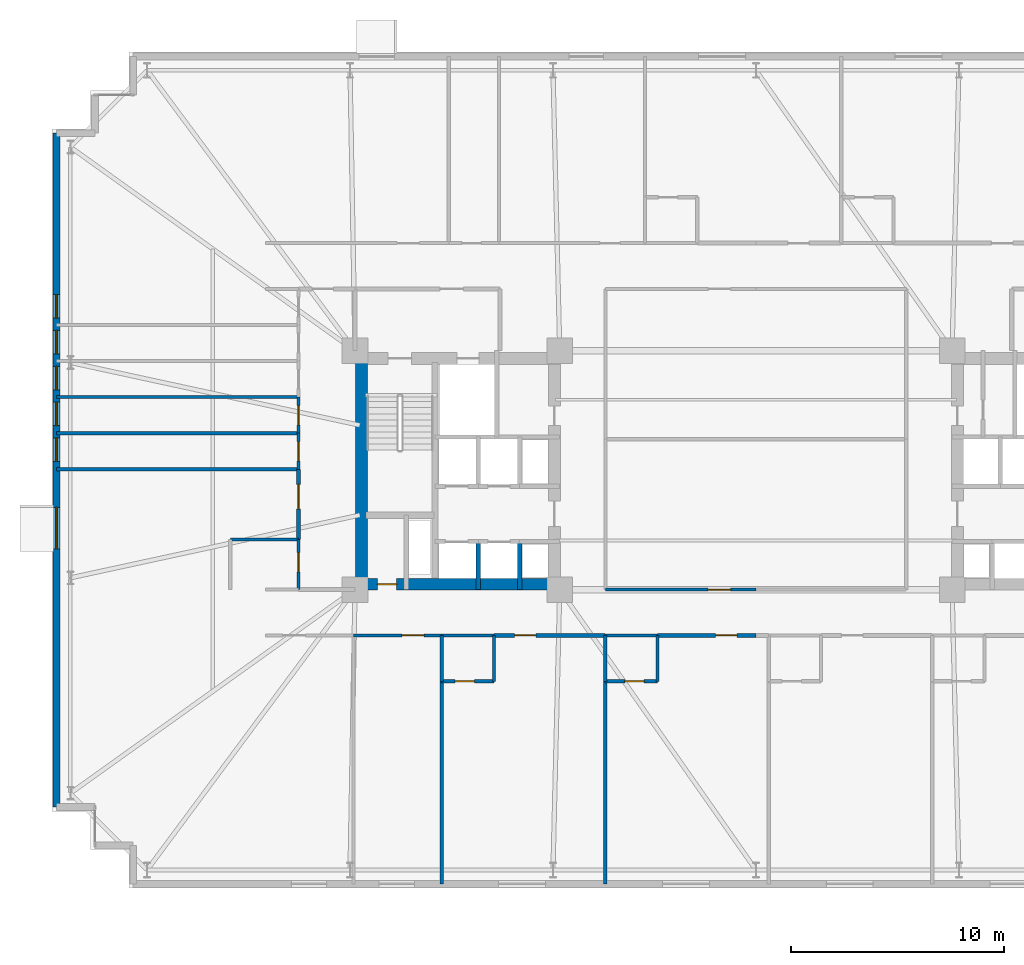
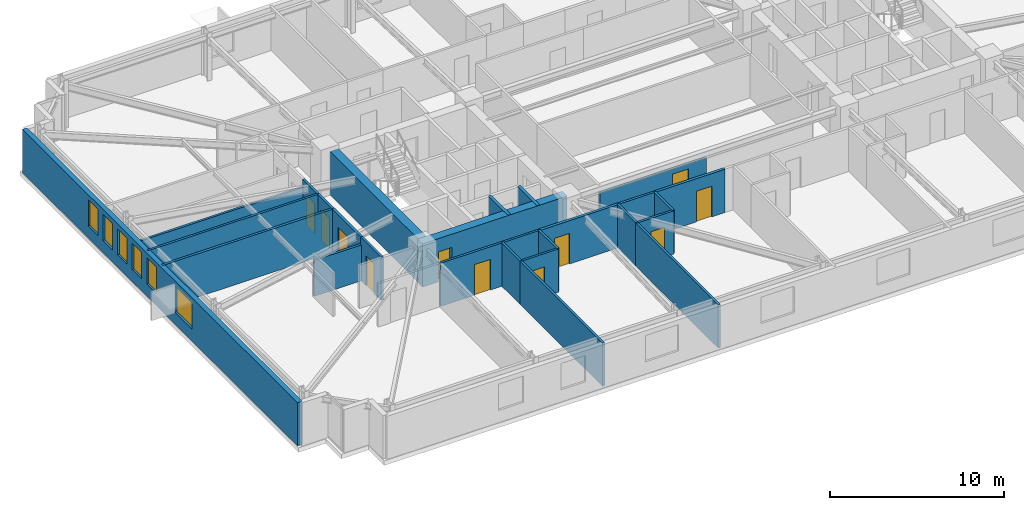
# One storey, part 14 of 21: 27 walls, 11 doors, 6 windows, 17 openings.
"""IFC4 building model written with IfcOpenShell, lengths in metres."""

from ifc_helpers import new_model, si_unit, direction, frame, frame_2d, origin, place, context, subcontext, project, spatial, rectangle, extrude, material, layer, layer_set, type_object, element, fill, save


model = new_model("IFC4")

# Units and contexts
model_context = context("Model", 3, precision=1e-05, world=origin(), true_north=direction((0.0, 1.0)))
body_context = subcontext(model_context, "Body", "Model", "MODEL_VIEW")
ifc_project = project(units=[si_unit("LENGTHUNIT", "METRE"), si_unit("AREAUNIT", "SQUARE_METRE"), si_unit("VOLUMEUNIT", "CUBIC_METRE"), si_unit("PLANEANGLEUNIT", "RADIAN"), si_unit("MASSUNIT", "GRAM", prefix="KILO")], contexts=[model_context])

# Site, building, storey
site_placement = place(None, origin())
site = spatial("IfcSite", under=ifc_project, at=site_placement, CompositionType="ELEMENT")
building_placement = place(site_placement, origin())
building = spatial("IfcBuilding", under=site, at=building_placement, Name="Qobustan Lattice House", CompositionType="ELEMENT")
storey_placement = place(building_placement, frame((0.0, 0.0, 37.050048828125)))
storey = spatial("IfcBuildingStorey", under=building, at=storey_placement, Name="L09", CompositionType="ELEMENT", Elevation=37.050048828125)

# Wall, opening, door
ifc_material_1 = material(Name="Concrete C60/75", Category="concrete")
ifc_layer_1 = layer(ifc_material_1, 0.56005859375)
ifc_layer_set_1 = layer_set([ifc_layer_1], Name="Concrete C60/75")
wall_type_1 = type_object("IfcWallType", Name="WAL-CORE-600", PredefinedType="SHEAR", material=ifc_layer_set_1)
wall_1_placement = place(storey_placement, frame((-18.800048828125, -5.35009765625, 0.0), z_axis=(0.0, 0.0, 1.0), x_axis=(1.0, 0.0, 0.0)))
wall_1 = element("IfcWall", 1, at=wall_1_placement, inside=storey, type_object=wall_type_1, Name="L09 split-core shear wall CW-S", PredefinedType="SHEAR", context=body_context, shape_type="SweptSolid", body=[
    extrude(rectangle(XDim=9.60009765625, YDim=0.56005859375, at=frame_2d((4.800048828125, 0.0))), origin(), (0.0, 0.0, 1.0), 3.034912109375),
])
opening_1_placement = place(wall_1_placement, frame((1.050048828125, 0.0, 0.0)))
opening_1 = element("IfcOpeningElement", 2, at=opening_1_placement, cuts=wall_1, Name="Opening RD-01", PredefinedType="OPENING", context=body_context, shape_type="SweptSolid", body=[
    extrude(rectangle(XDim=0.89990234375, YDim=2.10009765625, at=frame_2d((0.449951171875, 1.050048828125))), frame((0.0, 0.2900390625, 0.0), z_axis=(0.0, -1.0, 0.0), x_axis=(1.0, 0.0, 0.0)), (0.0, 0.0, 1.0), 0.580078125),
])
ifc_material_2 = material(Name="Persian walnut timber and steel frame door", Category="steel")
door_type_1 = type_object("IfcDoorType", Name="DOR-RISER-FD-900x2100", OperationType="NOTDEFINED", PredefinedType="DOOR", material=ifc_material_2)
door_1_placement = place(opening_1_placement, origin())
door_1 = element("IfcDoor", 3, at=door_1_placement, inside=storey, type_object=door_type_1, Name="L09 core service riser access door W", OperationType="SINGLE_SWING_LEFT", OverallHeight=2.10009765625, OverallWidth=0.89990234375, PredefinedType="DOOR", context=body_context, shape_type="SweptSolid", body=[
    extrude(rectangle(XDim=0.89990234375, YDim=2.10009765625, at=frame_2d((0.449951171875, 1.050048828125))), frame((0.0, 0.02490234375, 0.0), z_axis=(0.0, -1.0, 0.0), x_axis=(1.0, 0.0, 0.0)), (0.0, 0.0, 1.0), 0.050048828125),
])
fill(opening_1, door_1)

# Wall
wall_2_placement = place(storey_placement, frame((-18.489990234375, -5.050048828125, 0.0), z_axis=(0.0, 0.0, 1.0), x_axis=(0.0, 1.0, 0.0)))
element("IfcWall", 4, at=wall_2_placement, inside=storey, type_object=wall_type_1, Name="L09 split-core shear wall CW-W", PredefinedType="SHEAR", context=body_context, shape_type="SweptSolid", body=[
    extrude(rectangle(XDim=10.10009765625, YDim=0.56005859375, at=frame_2d((5.050048828125, 0.0))), origin(), (0.0, 0.0, 1.0), 3.034912109375),
])

# Wall, openings, windows
ifc_material_3 = material(Name="Precast concrete C40/50", Category="concrete")
ifc_layer_2 = layer(ifc_material_3, 0.320068359375)
ifc_layer_set_2 = layer_set([ifc_layer_2], Name="Precast concrete C40/50")
wall_type_2 = type_object("IfcWallType", Name="WAL-EXT-STONE-320", PredefinedType="SOLIDWALL", material=ifc_layer_set_2)
wall_3_placement = place(storey_placement, frame((-32.800048828125, -15.800048828125, 0.0), z_axis=(0.0, 0.0, 1.0), x_axis=(0.0, 1.0, 0.0)))
wall_3 = element("IfcWall", 5, at=wall_3_placement, inside=storey, type_object=wall_type_2, Name="L09 exterior limestone-clad wall 5", PredefinedType="SOLIDWALL", context=body_context, shape_type="SweptSolid", body=[
    extrude(rectangle(XDim=31.60009765625, YDim=0.320068359375, at=frame_2d((15.800048828125, 0.0))), origin(), (0.0, 0.0, 1.0), 3.034912109375),
])
opening_2_placement = place(wall_3_placement, frame((12.10498046875, 0.0, 0.85009765625)))
opening_2 = element("IfcOpeningElement", 6, at=opening_2_placement, cuts=wall_3, Name="Opening WN-08", PredefinedType="OPENING", context=body_context, shape_type="SweptSolid", body=[
    extrude(rectangle(XDim=1.949951171875, YDim=1.85009765625, at=frame_2d((0.97509765625, 0.925048828125))), frame((0.0, 0.169921875, 0.0), z_axis=(0.0, -1.0, 0.0), x_axis=(1.0, 0.0, 0.0)), (0.0, 0.0, 1.0), 0.340087890625),
])
opening_3_placement = place(wall_3_placement, frame((16.2099609375, 0.0, 0.85009765625)))
opening_3 = element("IfcOpeningElement", 7, at=opening_3_placement, cuts=wall_3, Name="Opening WN-04", PredefinedType="OPENING", context=body_context, shape_type="SweptSolid", body=[
    extrude(rectangle(XDim=1.10009765625, YDim=1.85009765625, at=frame_2d((0.550048828125, 0.925048828125))), frame((0.0, 0.169921875, 0.0), z_axis=(0.0, -1.0, 0.0), x_axis=(1.0, 0.0, 0.0)), (0.0, 0.0, 1.0), 0.340087890625),
])
opening_4_placement = place(wall_3_placement, frame((17.889892578125, 0.0, 0.85009765625)))
opening_4 = element("IfcOpeningElement", 8, at=opening_4_placement, cuts=wall_3, Name="Opening WN-04", PredefinedType="OPENING", context=body_context, shape_type="SweptSolid", body=[
    extrude(rectangle(XDim=1.10009765625, YDim=1.85009765625, at=frame_2d((0.550048828125, 0.925048828125))), frame((0.0, 0.169921875, 0.0), z_axis=(0.0, -1.0, 0.0), x_axis=(1.0, 0.0, 0.0)), (0.0, 0.0, 1.0), 0.340087890625),
])
opening_5_placement = place(wall_3_placement, frame((19.570068359375, 0.0, 0.85009765625)))
opening_5 = element("IfcOpeningElement", 9, at=opening_5_placement, cuts=wall_3, Name="Opening WN-04", PredefinedType="OPENING", context=body_context, shape_type="SweptSolid", body=[
    extrude(rectangle(XDim=1.10009765625, YDim=1.85009765625, at=frame_2d((0.550048828125, 0.925048828125))), frame((0.0, 0.169921875, 0.0), z_axis=(0.0, -1.0, 0.0), x_axis=(1.0, 0.0, 0.0)), (0.0, 0.0, 1.0), 0.340087890625),
])
opening_6_placement = place(wall_3_placement, frame((21.25, 0.0, 0.85009765625)))
opening_6 = element("IfcOpeningElement", 10, at=opening_6_placement, cuts=wall_3, Name="Opening WN-04", PredefinedType="OPENING", context=body_context, shape_type="SweptSolid", body=[
    extrude(rectangle(XDim=1.10009765625, YDim=1.85009765625, at=frame_2d((0.550048828125, 0.925048828125))), frame((0.0, 0.169921875, 0.0), z_axis=(0.0, -1.0, 0.0), x_axis=(1.0, 0.0, 0.0)), (0.0, 0.0, 1.0), 0.340087890625),
])
opening_7_placement = place(wall_3_placement, frame((22.929931640625, 0.0, 0.85009765625)))
opening_7 = element("IfcOpeningElement", 11, at=opening_7_placement, cuts=wall_3, Name="Opening WN-04", PredefinedType="OPENING", context=body_context, shape_type="SweptSolid", body=[
    extrude(rectangle(XDim=1.10009765625, YDim=1.85009765625, at=frame_2d((0.550048828125, 0.925048828125))), frame((0.0, 0.169921875, 0.0), z_axis=(0.0, -1.0, 0.0), x_axis=(1.0, 0.0, 0.0)), (0.0, 0.0, 1.0), 0.340087890625),
])
ifc_material_4 = material(Name="Double-glazed low-E aluminium window", Category="aluminium")
window_type_1 = type_object("IfcWindowType", Name="WIN-KIT-1950x1850", PartitioningType="SINGLE_PANEL", PredefinedType="WINDOW", material=ifc_material_4)
window_1_placement = place(opening_2_placement, origin())
window_1 = element("IfcWindow", 12, at=window_1_placement, inside=storey, type_object=window_type_1, Name="L09 Shared kitchen L09W window", OverallHeight=1.85009765625, OverallWidth=1.949951171875, PartitioningType="SINGLE_PANEL", PredefinedType="WINDOW", context=body_context, shape_type="SweptSolid", body=[
    extrude(rectangle(XDim=1.949951171875, YDim=1.85009765625, at=frame_2d((0.97509765625, 0.925048828125))), frame((0.0, 0.030029296875, 0.0), z_axis=(0.0, -1.0, 0.0), x_axis=(1.0, 0.0, 0.0)), (0.0, 0.0, 1.0), 0.06005859375),
])
fill(opening_2, window_1)
ifc_material_5 = material(Name="Double-glazed low-E aluminium window", Category="aluminium")
window_type_2 = type_object("IfcWindowType", Name="WIN-NAR-1100x1850", PartitioningType="SINGLE_PANEL", PredefinedType="WINDOW", material=ifc_material_5)
window_2_placement = place(opening_3_placement, origin())
window_2 = element("IfcWindow", 13, at=window_2_placement, inside=storey, type_object=window_type_2, Name="L09 Cluster bedroom L09W1 window", OverallHeight=1.85009765625, OverallWidth=1.10009765625, PartitioningType="SINGLE_PANEL", PredefinedType="WINDOW", context=body_context, shape_type="SweptSolid", body=[
    extrude(rectangle(XDim=1.10009765625, YDim=1.85009765625, at=frame_2d((0.550048828125, 0.925048828125))), frame((0.0, 0.030029296875, 0.0), z_axis=(0.0, -1.0, 0.0), x_axis=(1.0, 0.0, 0.0)), (0.0, 0.0, 1.0), 0.06005859375),
])
fill(opening_3, window_2)
window_3_placement = place(opening_4_placement, origin())
window_3 = element("IfcWindow", 14, at=window_3_placement, inside=storey, type_object=window_type_2, Name="L09 Cluster bedroom L09W2 window", OverallHeight=1.85009765625, OverallWidth=1.10009765625, PartitioningType="SINGLE_PANEL", PredefinedType="WINDOW", context=body_context, shape_type="SweptSolid", body=[
    extrude(rectangle(XDim=1.10009765625, YDim=1.85009765625, at=frame_2d((0.550048828125, 0.925048828125))), frame((0.0, 0.030029296875, 0.0), z_axis=(0.0, -1.0, 0.0), x_axis=(1.0, 0.0, 0.0)), (0.0, 0.0, 1.0), 0.06005859375),
])
fill(opening_4, window_3)
window_4_placement = place(opening_5_placement, origin())
window_4 = element("IfcWindow", 15, at=window_4_placement, inside=storey, type_object=window_type_2, Name="L09 Cluster bedroom L09W3 window", OverallHeight=1.85009765625, OverallWidth=1.10009765625, PartitioningType="SINGLE_PANEL", PredefinedType="WINDOW", context=body_context, shape_type="SweptSolid", body=[
    extrude(rectangle(XDim=1.10009765625, YDim=1.85009765625, at=frame_2d((0.550048828125, 0.925048828125))), frame((0.0, 0.030029296875, 0.0), z_axis=(0.0, -1.0, 0.0), x_axis=(1.0, 0.0, 0.0)), (0.0, 0.0, 1.0), 0.06005859375),
])
fill(opening_5, window_4)
window_5_placement = place(opening_6_placement, origin())
window_5 = element("IfcWindow", 16, at=window_5_placement, inside=storey, type_object=window_type_2, Name="L09 Cluster bedroom L09W4 window", OverallHeight=1.85009765625, OverallWidth=1.10009765625, PartitioningType="SINGLE_PANEL", PredefinedType="WINDOW", context=body_context, shape_type="SweptSolid", body=[
    extrude(rectangle(XDim=1.10009765625, YDim=1.85009765625, at=frame_2d((0.550048828125, 0.925048828125))), frame((0.0, 0.030029296875, 0.0), z_axis=(0.0, -1.0, 0.0), x_axis=(1.0, 0.0, 0.0)), (0.0, 0.0, 1.0), 0.06005859375),
])
fill(opening_6, window_5)
window_6_placement = place(opening_7_placement, origin())
window_6 = element("IfcWindow", 17, at=window_6_placement, inside=storey, type_object=window_type_2, Name="L09 Cluster bedroom L09W5 window", OverallHeight=1.85009765625, OverallWidth=1.10009765625, PartitioningType="SINGLE_PANEL", PredefinedType="WINDOW", context=body_context, shape_type="SweptSolid", body=[
    extrude(rectangle(XDim=1.10009765625, YDim=1.85009765625, at=frame_2d((0.550048828125, 0.925048828125))), frame((0.0, 0.030029296875, 0.0), z_axis=(0.0, -1.0, 0.0), x_axis=(1.0, 0.0, 0.0)), (0.0, 0.0, 1.0), 0.06005859375),
])
fill(opening_7, window_6)

# Wall, opening, door
ifc_material_6 = material(Name="Gypsum fireboard acoustic partition", Category="gypsum")
ifc_layer_3 = layer(ifc_material_6, 0.179931640625)
ifc_layer_set_3 = layer_set([ifc_layer_3], Name="Gypsum fireboard acoustic partition")
wall_type_3 = type_object("IfcWallType", Name="WAL-FIRE-180", PredefinedType="PARTITIONING", material=ifc_layer_set_3)
wall_4_placement = place(storey_placement, frame((-7.06689453125, -7.75, 0.0), z_axis=(0.0, 0.0, 1.0), x_axis=(-1.0, 0.0, 0.0)))
wall_4 = element("IfcWall", 18, at=wall_4_placement, inside=storey, type_object=wall_type_3, Name="L09 interior partition 57", PredefinedType="PARTITIONING", context=body_context, shape_type="SweptSolid", body=[
    extrude(rectangle(XDim=5.216064453125, YDim=0.179931640625, at=frame_2d((2.60791015625, 0.0))), origin(), (0.0, 0.0, 1.0), 3.034912109375),
])
opening_8_placement = place(wall_4_placement, frame((3.25390625, 0.0, 0.0)))
opening_8 = element("IfcOpeningElement", 19, at=opening_8_placement, cuts=wall_4, Name="Opening FD-02", PredefinedType="OPENING", context=body_context, shape_type="SweptSolid", body=[
    extrude(rectangle(XDim=1.0, YDim=2.14990234375, at=frame_2d((0.5, 1.074951171875))), frame((0.0, 0.099853515625, 0.0), z_axis=(0.0, -1.0, 0.0), x_axis=(1.0, 0.0, 0.0)), (0.0, 0.0, 1.0), 0.199951171875),
])
ifc_material_7 = material(Name="Persian walnut timber and steel frame door", Category="steel")
door_type_2 = type_object("IfcDoorType", Name="DOR-UNIT-FD-1000x2150", OperationType="NOTDEFINED", PredefinedType="DOOR", material=ifc_material_7)
door_2_placement = place(opening_8_placement, origin())
door_2 = element("IfcDoor", 20, at=door_2_placement, inside=storey, type_object=door_type_2, Name="L09 South-west floor corridor to Kitchenette and studio apartment L09-S2 door", OperationType="SINGLE_SWING_RIGHT", OverallHeight=2.14990234375, OverallWidth=1.0, PredefinedType="DOOR", context=body_context, shape_type="SweptSolid", body=[
    extrude(rectangle(XDim=1.0, YDim=2.14990234375, at=frame_2d((0.5, 1.074951171875))), frame((0.0, 0.02490234375, 0.0), z_axis=(0.0, -1.0, 0.0), x_axis=(1.0, 0.0, 0.0)), (0.0, 0.0, 1.0), 0.050048828125),
])
fill(opening_8, door_2)

wall_5_placement = place(storey_placement, frame((0.0, -7.75, 0.0), z_axis=(0.0, 0.0, 1.0), x_axis=(-1.0, 0.0, 0.0)))
wall_5 = element("IfcWall", 21, at=wall_5_placement, inside=storey, type_object=wall_type_3, Name="L09 interior partition 59", PredefinedType="PARTITIONING", context=body_context, shape_type="SweptSolid", body=[
    extrude(rectangle(XDim=4.616943359375, YDim=0.179931640625, at=frame_2d((2.30859375, 0.0))), origin(), (0.0, 0.0, 1.0), 3.034912109375),
])
opening_9_placement = place(wall_5_placement, frame((0.88720703125, 0.0, 0.0)))
opening_9 = element("IfcOpeningElement", 22, at=opening_9_placement, cuts=wall_5, Name="Opening FD-02", PredefinedType="OPENING", context=body_context, shape_type="SweptSolid", body=[
    extrude(rectangle(XDim=1.0, YDim=2.14990234375, at=frame_2d((0.5, 1.074951171875))), frame((0.0, 0.099853515625, 0.0), z_axis=(0.0, -1.0, 0.0), x_axis=(1.0, 0.0, 0.0)), (0.0, 0.0, 1.0), 0.199951171875),
])
door_3_placement = place(opening_9_placement, origin())
door_3 = element("IfcDoor", 23, at=door_3_placement, inside=storey, type_object=door_type_2, Name="L09 South-west floor corridor to Kitchenette and studio apartment L09-S3 door", OperationType="SINGLE_SWING_LEFT", OverallHeight=2.14990234375, OverallWidth=1.0, PredefinedType="DOOR", context=body_context, shape_type="SweptSolid", body=[
    extrude(rectangle(XDim=1.0, YDim=2.14990234375, at=frame_2d((0.5, 1.074951171875))), frame((0.0, 0.02490234375, 0.0), z_axis=(0.0, -1.0, 0.0), x_axis=(1.0, 0.0, 0.0)), (0.0, 0.0, 1.0), 0.050048828125),
])
fill(opening_9, door_3)

ifc_material_8 = material(Name="Acoustic twin-stud gypsum partition", Category="gypsum")
ifc_layer_4 = layer(ifc_material_8, 0.14990234375)
ifc_layer_set_4 = layer_set([ifc_layer_4], Name="Acoustic twin-stud gypsum partition")
wall_type_4 = type_object("IfcWallType", Name="WAL-PART-150", PredefinedType="PARTITIONING", material=ifc_layer_set_4)
wall_6_placement = place(storey_placement, frame((-14.73291015625, -7.75, 0.0), z_axis=(0.0, 0.0, 1.0), x_axis=(-1.0, 0.0, 0.0)))
wall_6 = element("IfcWall", 24, at=wall_6_placement, inside=storey, type_object=wall_type_4, Name="L09 interior partition 56", PredefinedType="PARTITIONING", context=body_context, shape_type="SweptSolid", body=[
    extrude(rectangle(XDim=4.133544921875, YDim=0.14990234375, at=frame_2d((2.06689453125, 0.0))), origin(), (0.0, 0.0, 1.0), 3.034912109375),
])
opening_10_placement = place(wall_6_placement, frame((0.8203125, 0.0, 0.0)))
opening_10 = element("IfcOpeningElement", 25, at=opening_10_placement, cuts=wall_6, Name="Opening ID-02", PredefinedType="OPENING", context=body_context, shape_type="SweptSolid", body=[
    extrude(rectangle(XDim=1.050048828125, YDim=2.14990234375, at=frame_2d((0.52490234375, 1.074951171875))), frame((0.0, 0.0849609375, 0.0), z_axis=(0.0, -1.0, 0.0), x_axis=(1.0, 0.0, 0.0)), (0.0, 0.0, 1.0), 0.169921875),
])
ifc_material_9 = material(Name="Persian walnut timber and steel frame door", Category="steel")
door_type_3 = type_object("IfcDoorType", Name="DOR-STUDY-1050x2150", OperationType="NOTDEFINED", PredefinedType="DOOR", material=ifc_material_9)
door_4_placement = place(opening_10_placement, origin())
door_4 = element("IfcDoor", 26, at=door_4_placement, inside=storey, type_object=door_type_3, Name="L09 South-west floor corridor to Focus study room S1B door", OperationType="SINGLE_SWING_LEFT", OverallHeight=2.14990234375, OverallWidth=1.050048828125, PredefinedType="DOOR", context=body_context, shape_type="SweptSolid", body=[
    extrude(rectangle(XDim=1.050048828125, YDim=2.14990234375, at=frame_2d((0.52490234375, 1.074951171875))), frame((0.0, 0.02490234375, 0.0), z_axis=(0.0, -1.0, 0.0), x_axis=(1.0, 0.0, 0.0)), (0.0, 0.0, 1.0), 0.050048828125),
])
fill(opening_10, door_4)

wall_7_placement = place(storey_placement, frame((-7.050048828125, -5.60009765625, 0.0), z_axis=(0.0, 0.0, 1.0), x_axis=(1.0, 0.0, 0.0)))
wall_7 = element("IfcWall", 27, at=wall_7_placement, inside=storey, type_object=wall_type_4, Name="L09 interior partition 61", PredefinedType="PARTITIONING", context=body_context, shape_type="SweptSolid", body=[
    extrude(rectangle(XDim=7.050048828125, YDim=0.14990234375, at=frame_2d((3.52490234375, 0.0))), origin(), (0.0, 0.0, 1.0), 2.52001953125),
])
opening_11_placement = place(wall_7_placement, frame((4.81494140625, 0.0, 0.0)))
opening_11 = element("IfcOpeningElement", 28, at=opening_11_placement, cuts=wall_7, Name="Opening ID-02", PredefinedType="OPENING", context=body_context, shape_type="SweptSolid", body=[
    extrude(rectangle(XDim=1.050048828125, YDim=2.14990234375, at=frame_2d((0.52490234375, 1.074951171875))), frame((0.0, 0.0849609375, 0.0), z_axis=(0.0, -1.0, 0.0), x_axis=(1.0, 0.0, 0.0)), (0.0, 0.0, 1.0), 0.169921875),
])
door_5_placement = place(opening_11_placement, origin())
door_5 = element("IfcDoor", 29, at=door_5_placement, inside=storey, type_object=door_type_3, Name="L09 South-west floor corridor to Academic seminar room door", OperationType="SINGLE_SWING_RIGHT", OverallHeight=2.14990234375, OverallWidth=1.050048828125, PredefinedType="DOOR", context=body_context, shape_type="SweptSolid", body=[
    extrude(rectangle(XDim=1.050048828125, YDim=2.14990234375, at=frame_2d((0.52490234375, 1.074951171875))), frame((0.0, 0.02490234375, 0.0), z_axis=(0.0, -1.0, 0.0), x_axis=(1.0, 0.0, 0.0)), (0.0, 0.0, 1.0), 0.050048828125),
])
fill(opening_11, door_5)

wall_8_placement = place(storey_placement, frame((-21.449951171875, 0.0400390625, 0.0), z_axis=(0.0, 0.0, 1.0), x_axis=(0.0, 1.0, 0.0)))
wall_8 = element("IfcWall", 30, at=wall_8_placement, inside=storey, type_object=wall_type_4, Name="L09 interior partition 79", PredefinedType="PARTITIONING", context=body_context, shape_type="SweptSolid", body=[
    extrude(rectangle(XDim=1.69189453125, YDim=0.14990234375, at=frame_2d((0.845947265625, 0.0))), origin(), (0.0, 0.0, 1.0), 3.034912109375),
])
opening_12_placement = place(wall_8_placement, frame((0.39599609375, 0.0, 0.0)))
opening_12 = element("IfcOpeningElement", 31, at=opening_12_placement, cuts=wall_8, Name="Opening WD-01", PredefinedType="OPENING", context=body_context, shape_type="SweptSolid", body=[
    extrude(rectangle(XDim=0.89990234375, YDim=2.10009765625, at=frame_2d((0.449951171875, 1.050048828125))), frame((0.0, 0.0849609375, 0.0), z_axis=(0.0, -1.0, 0.0), x_axis=(1.0, 0.0, 0.0)), (0.0, 0.0, 1.0), 0.169921875),
])
ifc_material_10 = material(Name="Persian walnut timber and steel frame door", Category="steel")
door_type_4 = type_object("IfcDoorType", Name="DOR-WET-900x2100", OperationType="NOTDEFINED", PredefinedType="DOOR", material=ifc_material_10)
door_6_placement = place(opening_12_placement, origin())
door_6 = element("IfcDoor", 32, at=door_6_placement, inside=storey, type_object=door_type_4, Name="L09 Residence entrance hall L09W to Cluster bedroom L09W1 door", OperationType="SINGLE_SWING_LEFT", OverallHeight=2.10009765625, OverallWidth=0.89990234375, PredefinedType="DOOR", context=body_context, shape_type="SweptSolid", body=[
    extrude(rectangle(XDim=0.89990234375, YDim=2.10009765625, at=frame_2d((0.449951171875, 1.050048828125))), frame((0.0, 0.02490234375, 0.0), z_axis=(0.0, -1.0, 0.0), x_axis=(1.0, 0.0, 0.0)), (0.0, 0.0, 1.0), 0.050048828125),
])
fill(opening_12, door_6)

wall_9_placement = place(storey_placement, frame((-21.449951171875, 1.73193359375, 0.0), z_axis=(0.0, 0.0, 1.0), x_axis=(0.0, 1.0, 0.0)))
wall_9 = element("IfcWall", 33, at=wall_9_placement, inside=storey, type_object=wall_type_4, Name="L09 interior partition 80", PredefinedType="PARTITIONING", context=body_context, shape_type="SweptSolid", body=[
    extrude(rectangle(XDim=1.692138671875, YDim=0.14990234375, at=frame_2d((0.84619140625, 0.0))), origin(), (0.0, 0.0, 1.0), 3.034912109375),
])
opening_13_placement = place(wall_9_placement, frame((0.39599609375, 0.0, 0.0)))
opening_13 = element("IfcOpeningElement", 34, at=opening_13_placement, cuts=wall_9, Name="Opening WD-01", PredefinedType="OPENING", context=body_context, shape_type="SweptSolid", body=[
    extrude(rectangle(XDim=0.89990234375, YDim=2.10009765625, at=frame_2d((0.449951171875, 1.050048828125))), frame((0.0, 0.0849609375, 0.0), z_axis=(0.0, -1.0, 0.0), x_axis=(1.0, 0.0, 0.0)), (0.0, 0.0, 1.0), 0.169921875),
])
door_7_placement = place(opening_13_placement, origin())
door_7 = element("IfcDoor", 35, at=door_7_placement, inside=storey, type_object=door_type_4, Name="L09 Residence entrance hall L09W to Cluster bedroom L09W2 door", OperationType="SINGLE_SWING_RIGHT", OverallHeight=2.10009765625, OverallWidth=0.89990234375, PredefinedType="DOOR", context=body_context, shape_type="SweptSolid", body=[
    extrude(rectangle(XDim=0.89990234375, YDim=2.10009765625, at=frame_2d((0.449951171875, 1.050048828125))), frame((0.0, 0.02490234375, 0.0), z_axis=(0.0, -1.0, 0.0), x_axis=(1.0, 0.0, 0.0)), (0.0, 0.0, 1.0), 0.050048828125),
])
fill(opening_13, door_7)

# Walls
wall_10_placement = place(storey_placement, frame((-32.800048828125, 1.73193359375, 0.0), z_axis=(0.0, 0.0, 1.0), x_axis=(1.0, 0.0, 0.0)))
element("IfcWall", 36, at=wall_10_placement, inside=storey, type_object=wall_type_4, Name="L09 interior partition 87", PredefinedType="PARTITIONING", context=body_context, shape_type="SweptSolid", body=[
    extrude(rectangle(XDim=11.35009765625, YDim=0.14990234375, at=frame_2d((5.675048828125, 0.0))), origin(), (0.0, 0.0, 1.0), 3.034912109375),
])
wall_11_placement = place(storey_placement, frame((-32.800048828125, 3.424072265625, 0.0), z_axis=(0.0, 0.0, 1.0), x_axis=(1.0, 0.0, 0.0)))
element("IfcWall", 37, at=wall_11_placement, inside=storey, type_object=wall_type_4, Name="L09 interior partition 88", PredefinedType="PARTITIONING", context=body_context, shape_type="SweptSolid", body=[
    extrude(rectangle(XDim=11.35009765625, YDim=0.14990234375, at=frame_2d((5.675048828125, 0.0))), origin(), (0.0, 0.0, 1.0), 2.52001953125),
])
for number, where, z_axis, x_axis, name in (
    (38, (-14.73291015625, -9.89990234375, 0.0), (0.0, 0.0, 1.0), (0.0, -1.0, 0.0), "L09 interior partition 114"),
    (39, (-7.06689453125, -9.89990234375, 0.0), (0.0, 0.0, 1.0), (0.0, -1.0, 0.0), "L09 interior partition 118"),
):
    element("IfcWall", number, at=place(storey_placement, frame(where, z_axis=z_axis, x_axis=x_axis)), inside=storey, type_object=wall_type_4, Name=name, PredefinedType="PARTITIONING", context=body_context, shape_type="SweptSolid", body=[
        extrude(rectangle(XDim=9.5, YDim=0.14990234375, at=frame_2d((4.75, 0.0))), origin(), (0.0, 0.0, 1.0), 3.034912109375),
    ])

# Wall, opening, door
ifc_material_11 = material(Name="High-mass acoustic twin-stud partition", Category="gypsum")
ifc_layer_5 = layer(ifc_material_11, 0.1650390625)
ifc_layer_set_5 = layer_set([ifc_layer_5], Name="High-mass acoustic twin-stud partition")
wall_type_5 = type_object("IfcWallType", Name="WAL-PART-165", PredefinedType="PARTITIONING", material=ifc_layer_set_5)
wall_12_placement = place(storey_placement, frame((-21.449951171875, -3.25, 0.0), z_axis=(0.0, 0.0, 1.0), x_axis=(0.0, 1.0, 0.0)))
wall_12 = element("IfcWall", 40, at=wall_12_placement, inside=storey, type_object=wall_type_5, Name="L09 interior partition 78", PredefinedType="PARTITIONING", context=body_context, shape_type="SweptSolid", body=[
    extrude(rectangle(XDim=3.2900390625, YDim=0.1650390625, at=frame_2d((1.64501953125, 0.0))), origin(), (0.0, 0.0, 1.0), 3.034912109375),
])
opening_14_placement = place(wall_12_placement, frame((1.4375, 0.0, 0.0)))
opening_14 = element("IfcOpeningElement", 41, at=opening_14_placement, cuts=wall_12, Name="Opening ID-03", PredefinedType="OPENING", context=body_context, shape_type="SweptSolid", body=[
    extrude(rectangle(XDim=1.14990234375, YDim=2.14990234375, at=frame_2d((0.574951171875, 1.074951171875))), frame((0.0, 0.092529296875, 0.0), z_axis=(0.0, -1.0, 0.0), x_axis=(1.0, 0.0, 0.0)), (0.0, 0.0, 1.0), 0.18505859375),
])
ifc_material_12 = material(Name="Persian walnut timber and steel frame door", Category="steel")
door_type_5 = type_object("IfcDoorType", Name="DOR-KITCH-1150x2150", OperationType="NOTDEFINED", PredefinedType="DOOR", material=ifc_material_12)
door_8_placement = place(opening_14_placement, origin())
door_8 = element("IfcDoor", 42, at=door_8_placement, inside=storey, type_object=door_type_5, Name="L09 Residence entrance hall L09W to Shared kitchen L09W door", OperationType="SINGLE_SWING_RIGHT", OverallHeight=2.14990234375, OverallWidth=1.14990234375, PredefinedType="DOOR", context=body_context, shape_type="SweptSolid", body=[
    extrude(rectangle(XDim=1.14990234375, YDim=2.14990234375, at=frame_2d((0.574951171875, 1.074951171875))), frame((0.0, 0.02490234375, 0.0), z_axis=(0.0, -1.0, 0.0), x_axis=(1.0, 0.0, 0.0)), (0.0, 0.0, 1.0), 0.050048828125),
])
fill(opening_14, door_8)

# Walls
wall_13_placement = place(storey_placement, frame((-32.800048828125, 0.0400390625, 0.0), z_axis=(0.0, 0.0, 1.0), x_axis=(1.0, 0.0, 0.0)))
element("IfcWall", 43, at=wall_13_placement, inside=storey, type_object=wall_type_5, Name="L09 interior partition 86", PredefinedType="PARTITIONING", context=body_context, shape_type="SweptSolid", body=[
    extrude(rectangle(XDim=11.35009765625, YDim=0.1650390625, at=frame_2d((5.675048828125, 0.0))), origin(), (0.0, 0.0, 1.0), 3.034912109375),
])
ifc_material_13 = material(Name="Concrete C40/50", Category="concrete")
ifc_layer_6 = layer(ifc_material_13, 0.199951171875)
ifc_layer_set_6 = layer_set([ifc_layer_6], Name="Concrete C40/50")
wall_type_6 = type_object("IfcWallType", Name="WAL-SHAFT-200", PredefinedType="PARTITIONING", material=ifc_layer_set_6)
for number, where, z_axis, x_axis, name in (
    (44, (-13.02001953125, -5.60009765625, 0.0), (0.0, 0.0, 1.0), (0.0, 1.0, 0.0), "L09 interior partition 14"),
    (45, (-11.080078125, -5.60009765625, 0.0), (0.0, 0.0, 1.0), (0.0, 1.0, 0.0), "L09 interior partition 15"),
):
    element("IfcWall", number, at=place(storey_placement, frame(where, z_axis=z_axis, x_axis=x_axis)), inside=storey, type_object=wall_type_6, Name=name, PredefinedType="PARTITIONING", context=body_context, shape_type="SweptSolid", body=[
        extrude(rectangle(XDim=2.25, YDim=0.199951171875, at=frame_2d((1.125, 0.0))), origin(), (0.0, 0.0, 1.0), 3.034912109375),
    ])
ifc_material_14 = material(Name="Moisture-resistant acoustic plumbing wall", Category="gypsum")
ifc_layer_7 = layer(ifc_material_14, 0.14990234375)
ifc_layer_set_7 = layer_set([ifc_layer_7], Name="Moisture-resistant acoustic plumbing wall")
wall_type_7 = type_object("IfcWallType", Name="WAL-WET-150", PredefinedType="PLUMBINGWALL", material=ifc_layer_set_7)
for number, where, z_axis, x_axis, name in (
    (46, (-12.282958984375, -7.75, 0.0), (0.0, 0.0, 1.0), (-1.0, 0.0, 0.0), "L09 interior partition 58"),
    (47, (-4.616943359375, -7.75, 0.0), (0.0, 0.0, 1.0), (-1.0, 0.0, 0.0), "L09 interior partition 60"),
):
    element("IfcWall", number, at=place(storey_placement, frame(where, z_axis=z_axis, x_axis=x_axis)), inside=storey, type_object=wall_type_7, Name=name, PredefinedType="PLUMBINGWALL", context=body_context, shape_type="SweptSolid", body=[
        extrude(rectangle(XDim=2.449951171875, YDim=0.14990234375, at=frame_2d((1.22509765625, 0.0))), origin(), (0.0, 0.0, 1.0), 3.034912109375),
    ])

# Wall, opening, door
wall_14_placement = place(storey_placement, frame((-21.449951171875, -5.60009765625, 0.0), z_axis=(0.0, 0.0, 1.0), x_axis=(0.0, 1.0, 0.0)))
wall_14 = element("IfcWall", 48, at=wall_14_placement, inside=storey, type_object=wall_type_7, Name="L09 interior partition 77", PredefinedType="PLUMBINGWALL", context=body_context, shape_type="SweptSolid", body=[
    extrude(rectangle(XDim=2.35009765625, YDim=0.14990234375, at=frame_2d((1.175048828125, 0.0))), origin(), (0.0, 0.0, 1.0), 3.034912109375),
])
opening_15_placement = place(wall_14_placement, frame((0.833740234375, 0.0, 0.0)))
opening_15 = element("IfcOpeningElement", 49, at=opening_15_placement, cuts=wall_14, Name="Opening WD-01", PredefinedType="OPENING", context=body_context, shape_type="SweptSolid", body=[
    extrude(rectangle(XDim=0.89990234375, YDim=2.10009765625, at=frame_2d((0.449951171875, 1.050048828125))), frame((0.0, 0.0849609375, 0.0), z_axis=(0.0, -1.0, 0.0), x_axis=(1.0, 0.0, 0.0)), (0.0, 0.0, 1.0), 0.169921875),
])
door_9_placement = place(opening_15_placement, origin())
door_9 = element("IfcDoor", 50, at=door_9_placement, inside=storey, type_object=door_type_4, Name="L09 Residence entrance hall L09W to Shared bathroom L09W door", OperationType="SINGLE_SWING_LEFT", OverallHeight=2.10009765625, OverallWidth=0.89990234375, PredefinedType="DOOR", context=body_context, shape_type="SweptSolid", body=[
    extrude(rectangle(XDim=0.89990234375, YDim=2.10009765625, at=frame_2d((0.449951171875, 1.050048828125))), frame((0.0, 0.02490234375, 0.0), z_axis=(0.0, -1.0, 0.0), x_axis=(1.0, 0.0, 0.0)), (0.0, 0.0, 1.0), 0.050048828125),
])
fill(opening_15, door_9)

# Walls
wall_15_placement = place(storey_placement, frame((-24.64990234375, -3.25, 0.0), z_axis=(0.0, 0.0, 1.0), x_axis=(1.0, 0.0, 0.0)))
element("IfcWall", 51, at=wall_15_placement, inside=storey, type_object=wall_type_7, Name="L09 interior partition 84", PredefinedType="PLUMBINGWALL", context=body_context, shape_type="SweptSolid", body=[
    extrude(rectangle(XDim=3.199951171875, YDim=0.14990234375, at=frame_2d((1.60009765625, 0.0))), origin(), (0.0, 0.0, 1.0), 2.52001953125),
])
wall_16_placement = place(storey_placement, frame((-14.73291015625, -7.75, 0.0), z_axis=(0.0, 0.0, 1.0), x_axis=(0.0, -1.0, 0.0)))
element("IfcWall", 52, at=wall_16_placement, inside=storey, type_object=wall_type_7, Name="L09 interior partition 115", PredefinedType="PLUMBINGWALL", context=body_context, shape_type="SweptSolid", body=[
    extrude(rectangle(XDim=2.14990234375, YDim=0.14990234375, at=frame_2d((1.074951171875, 0.0))), origin(), (0.0, 0.0, 1.0), 3.034912109375),
])

# Wall, opening, door
wall_17_placement = place(storey_placement, frame((-14.73291015625, -9.89990234375, 0.0), z_axis=(0.0, 0.0, 1.0), x_axis=(1.0, 0.0, 0.0)))
wall_17 = element("IfcWall", 53, at=wall_17_placement, inside=storey, type_object=wall_type_7, Name="L09 interior partition 116", PredefinedType="PLUMBINGWALL", context=body_context, shape_type="SweptSolid", body=[
    extrude(rectangle(XDim=2.449951171875, YDim=0.14990234375, at=frame_2d((1.22509765625, 0.0))), origin(), (0.0, 0.0, 1.0), 3.034912109375),
])
opening_16_placement = place(wall_17_placement, frame((0.62890625, 0.0, 0.0)))
opening_16 = element("IfcOpeningElement", 54, at=opening_16_placement, cuts=wall_17, Name="Opening WD-01", PredefinedType="OPENING", context=body_context, shape_type="SweptSolid", body=[
    extrude(rectangle(XDim=0.89990234375, YDim=2.10009765625, at=frame_2d((0.449951171875, 1.050048828125))), frame((0.0, 0.0849609375, 0.0), z_axis=(0.0, -1.0, 0.0), x_axis=(1.0, 0.0, 0.0)), (0.0, 0.0, 1.0), 0.169921875),
])
door_10_placement = place(opening_16_placement, origin())
door_10 = element("IfcDoor", 55, at=door_10_placement, inside=storey, type_object=door_type_4, Name="L09 Kitchenette and studio apartment L09-S2 to En-suite bathroom L09-S2 door", OperationType="SINGLE_SWING_LEFT", OverallHeight=2.10009765625, OverallWidth=0.89990234375, PredefinedType="DOOR", context=body_context, shape_type="SweptSolid", body=[
    extrude(rectangle(XDim=0.89990234375, YDim=2.10009765625, at=frame_2d((0.449951171875, 1.050048828125))), frame((0.0, 0.02490234375, 0.0), z_axis=(0.0, -1.0, 0.0), x_axis=(1.0, 0.0, 0.0)), (0.0, 0.0, 1.0), 0.050048828125),
])
fill(opening_16, door_10)

# Walls
for number, where, z_axis, x_axis, name in (
    (56, (-12.282958984375, -9.89990234375, 0.0), (0.0, 0.0, 1.0), (0.0, 1.0, 0.0), "L09 interior partition 117"),
    (57, (-7.06689453125, -7.75, 0.0), (0.0, 0.0, 1.0), (0.0, -1.0, 0.0), "L09 interior partition 119"),
):
    element("IfcWall", number, at=place(storey_placement, frame(where, z_axis=z_axis, x_axis=x_axis)), inside=storey, type_object=wall_type_7, Name=name, PredefinedType="PLUMBINGWALL", context=body_context, shape_type="SweptSolid", body=[
        extrude(rectangle(XDim=2.14990234375, YDim=0.14990234375, at=frame_2d((1.074951171875, 0.0))), origin(), (0.0, 0.0, 1.0), 3.034912109375),
    ])

# Wall, opening, door
wall_18_placement = place(storey_placement, frame((-7.06689453125, -9.89990234375, 0.0), z_axis=(0.0, 0.0, 1.0), x_axis=(1.0, 0.0, 0.0)))
wall_18 = element("IfcWall", 58, at=wall_18_placement, inside=storey, type_object=wall_type_7, Name="L09 interior partition 120", PredefinedType="PLUMBINGWALL", context=body_context, shape_type="SweptSolid", body=[
    extrude(rectangle(XDim=2.449951171875, YDim=0.14990234375, at=frame_2d((1.22509765625, 0.0))), origin(), (0.0, 0.0, 1.0), 3.034912109375),
])
opening_17_placement = place(wall_18_placement, frame((0.92138671875, 0.0, 0.0)))
opening_17 = element("IfcOpeningElement", 59, at=opening_17_placement, cuts=wall_18, Name="Opening WD-01", PredefinedType="OPENING", context=body_context, shape_type="SweptSolid", body=[
    extrude(rectangle(XDim=0.89990234375, YDim=2.10009765625, at=frame_2d((0.449951171875, 1.050048828125))), frame((0.0, 0.0849609375, 0.0), z_axis=(0.0, -1.0, 0.0), x_axis=(1.0, 0.0, 0.0)), (0.0, 0.0, 1.0), 0.169921875),
])
door_11_placement = place(opening_17_placement, origin())
door_11 = element("IfcDoor", 60, at=door_11_placement, inside=storey, type_object=door_type_4, Name="L09 Kitchenette and studio apartment L09-S3 to En-suite bathroom L09-S3 door", OperationType="SINGLE_SWING_RIGHT", OverallHeight=2.10009765625, OverallWidth=0.89990234375, PredefinedType="DOOR", context=body_context, shape_type="SweptSolid", body=[
    extrude(rectangle(XDim=0.89990234375, YDim=2.10009765625, at=frame_2d((0.449951171875, 1.050048828125))), frame((0.0, 0.02490234375, 0.0), z_axis=(0.0, -1.0, 0.0), x_axis=(1.0, 0.0, 0.0)), (0.0, 0.0, 1.0), 0.050048828125),
])
fill(opening_17, door_11)

# Wall
wall_19_placement = place(storey_placement, frame((-4.616943359375, -9.89990234375, 0.0), z_axis=(0.0, 0.0, 1.0), x_axis=(0.0, 1.0, 0.0)))
element("IfcWall", 61, at=wall_19_placement, inside=storey, type_object=wall_type_7, Name="L09 interior partition 121", PredefinedType="PLUMBINGWALL", context=body_context, shape_type="SweptSolid", body=[
    extrude(rectangle(XDim=2.14990234375, YDim=0.14990234375, at=frame_2d((1.074951171875, 0.0))), origin(), (0.0, 0.0, 1.0), 3.034912109375),
])

save(model, "model.ifc")
